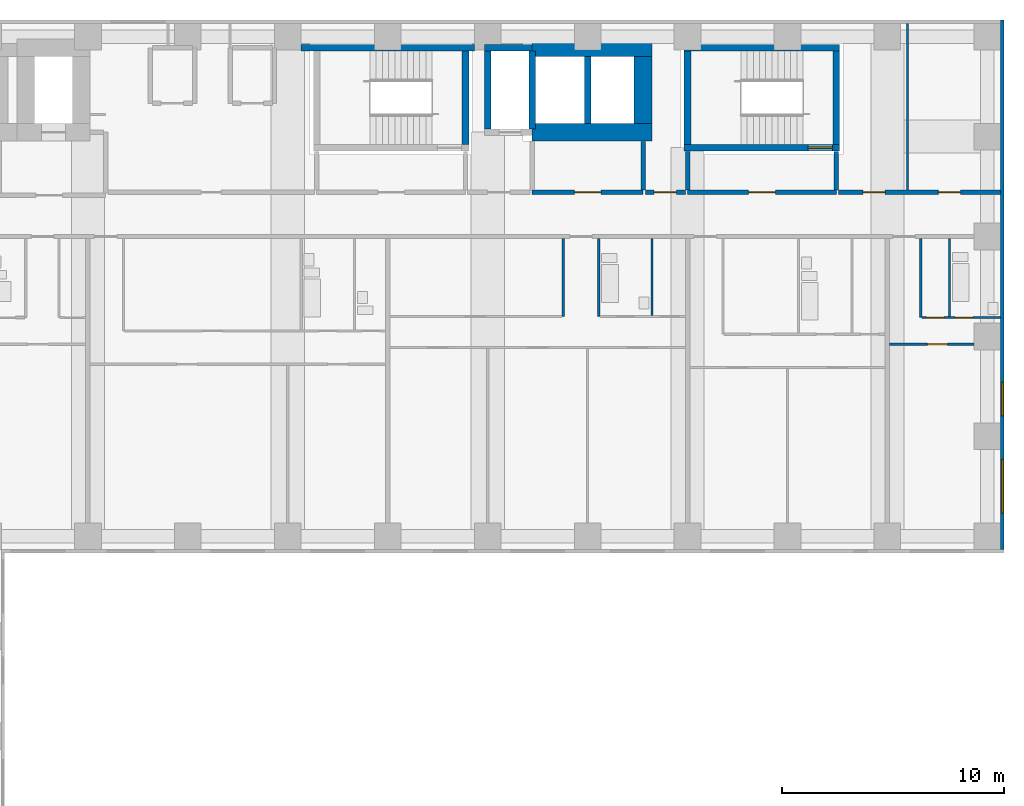
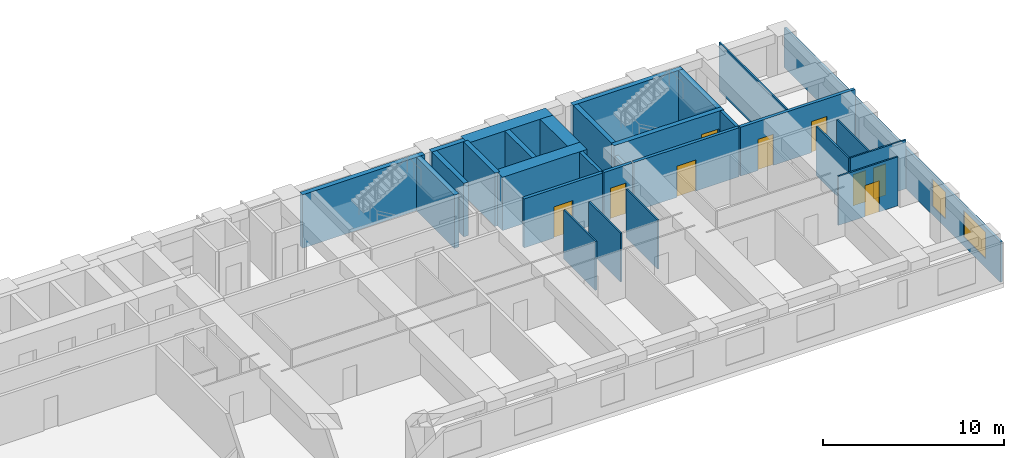
# One storey, part 8 of 11: 29 walls, 9 doors, 2 windows, 11 openings.
"""IFC4 building model written with IfcOpenShell, lengths in metres."""

from ifc_helpers import new_model, si_unit, direction, frame, frame_2d, origin, place, context, subcontext, project, spatial, rectangle, extrude, material, layer, layer_set, type_object, element, fill, save


model = new_model("IFC4")

# Units and contexts
model_context = context("Model", 3, precision=1e-05, world=origin(), true_north=direction((0.0, 1.0)))
body_context = subcontext(model_context, "Body", "Model", "MODEL_VIEW")
ifc_project = project(units=[si_unit("LENGTHUNIT", "METRE"), si_unit("AREAUNIT", "SQUARE_METRE"), si_unit("VOLUMEUNIT", "CUBIC_METRE"), si_unit("PLANEANGLEUNIT", "RADIAN"), si_unit("MASSUNIT", "GRAM", prefix="KILO")], contexts=[model_context])

# Site, building, storey
site_placement = place(None, origin())
site = spatial("IfcSite", under=ifc_project, at=site_placement, CompositionType="ELEMENT")
building_placement = place(site_placement, origin())
building = spatial("IfcBuilding", under=site, at=building_placement, Name="Firuza Court", CompositionType="ELEMENT")
storey_placement = place(building_placement, frame((0.0, 0.0, 61.39990234375)))
storey = spatial("IfcBuildingStorey", under=building, at=storey_placement, Name="L14", CompositionType="ELEMENT", Elevation=61.39990234375)

# Walls
ifc_material_1 = material(Name="Moisture-resistant gypsum board partition")
ifc_layer_1 = layer(ifc_material_1, 0.10009765625)
ifc_layer_set_1 = layer_set([ifc_layer_1], Name="Moisture-resistant gypsum board partition")
wall_type_1 = type_object("IfcWallType", Name="Bathroom partition 100", PredefinedType="PLUMBINGWALL", material=ifc_layer_set_1)
for number, where, z_axis, x_axis, name in (
    (1, (50.0, 45.89990234375, 0.0), (0.0, 0.0, 1.0), (0.0, 1.0, 0.0), "Bathroom partition 100 L14"),
    (2, (65.800048828125, 45.89990234375, 0.0), (0.0, 0.0, 1.0), (0.0, 1.0, 0.0), "Bathroom partition 100 L14"),
):
    element("IfcWall", number, at=place(storey_placement, frame(where, z_axis=z_axis, x_axis=x_axis)), inside=storey, type_object=wall_type_1, Name=name, PredefinedType="PLUMBINGWALL", context=body_context, shape_type="SweptSolid", body=[
        extrude(rectangle(XDim=3.5, YDim=0.10009765625, at=frame_2d((1.75, 0.0))), origin(), (0.0, 0.0, 1.0), 3.300048828125),
    ])
wall_1_placement = place(storey_placement, frame((52.39990234375, 45.949951171875, 0.0), z_axis=(0.0, 0.0, 1.0), x_axis=(0.0, 1.0, 0.0)))
element("IfcWall", 3, at=wall_1_placement, inside=storey, type_object=wall_type_1, Name="Bathroom partition 100 L14", PredefinedType="PLUMBINGWALL", context=body_context, shape_type="SweptSolid", body=[
    extrude(rectangle(XDim=3.449951171875, YDim=0.10009765625, at=frame_2d((1.72509765625, 0.0))), origin(), (0.0, 0.0, 1.0), 3.300048828125),
])
ifc_material_2 = material(Name="Concrete C60/75", Category="concrete")
ifc_layer_2 = layer(ifc_material_2, 0.300048828125)
ifc_layer_set_2 = layer_set([ifc_layer_2], Name="Concrete C60/75")
wall_type_2 = type_object("IfcWallType", Name="Core wall 300 C60/75", PredefinedType="SHEAR", material=ifc_layer_set_2)
wall_2_placement = place(storey_placement, frame((36.60009765625, 58.0, -0.2998046875), z_axis=(0.0, 0.0, 1.0), x_axis=(1.0, 0.0, 0.0)))
element("IfcWall", 4, at=wall_2_placement, inside=storey, type_object=wall_type_2, Name="Core wall stair L14", PredefinedType="SHEAR", context=body_context, shape_type="SweptSolid", body=[
    extrude(rectangle(XDim=7.7998046875, YDim=0.300048828125, at=frame_2d((3.89990234375, 0.0))), origin(), (0.0, 0.0, 1.0), 3.599853515625),
])
wall_3_placement = place(storey_placement, frame((44.0, 53.64990234375, -0.2998046875), z_axis=(0.0, 0.0, 1.0), x_axis=(0.0, 1.0, 0.0)))
element("IfcWall", 5, at=wall_3_placement, inside=storey, type_object=wall_type_2, Name="Core wall stair L14", PredefinedType="SHEAR", context=body_context, shape_type="SweptSolid", body=[
    extrude(rectangle(XDim=4.2001953125, YDim=0.300048828125, at=frame_2d((2.10009765625, 0.0))), origin(), (0.0, 0.0, 1.0), 3.599853515625),
])
wall_4_placement = place(storey_placement, frame((44.85009765625, 58.0, -0.2998046875), z_axis=(0.0, 0.0, 1.0), x_axis=(1.0, 0.0, 0.0)))
element("IfcWall", 6, at=wall_4_placement, inside=storey, type_object=wall_type_2, Name="Core wall riser L14", PredefinedType="SHEAR", context=body_context, shape_type="SweptSolid", body=[
    extrude(rectangle(XDim=2.14990234375, YDim=0.300048828125, at=frame_2d((1.074951171875, 0.0))), origin(), (0.0, 0.0, 1.0), 3.599853515625),
])
for number, where, z_axis, x_axis, name in (
    (7, (45.0, 54.35009765625, -0.2998046875), (0.0, 0.0, 1.0), (0.0, 1.0, 0.0), "Core wall riser L14"),
    (8, (47.0, 54.35009765625, -0.2998046875), (0.0, 0.0, 1.0), (0.0, 1.0, 0.0), "Core wall lift shaft L14"),
):
    element("IfcWall", number, at=place(storey_placement, frame(where, z_axis=z_axis, x_axis=x_axis)), inside=storey, type_object=wall_type_2, Name=name, PredefinedType="SHEAR", context=body_context, shape_type="SweptSolid", body=[
        extrude(rectangle(XDim=3.5, YDim=0.300048828125, at=frame_2d((1.75, 0.0))), origin(), (0.0, 0.0, 1.0), 3.599853515625),
    ])
wall_5_placement = place(storey_placement, frame((49.5, 54.60009765625, -0.2998046875), z_axis=(0.0, 0.0, 1.0), x_axis=(0.0, 1.0, 0.0)))
element("IfcWall", 9, at=wall_5_placement, inside=storey, type_object=wall_type_2, Name="Core wall lift shaft L14", PredefinedType="SHEAR", context=body_context, shape_type="SweptSolid", body=[
    extrude(rectangle(XDim=3.0, YDim=0.300048828125, at=frame_2d((1.5, 0.0))), origin(), (0.0, 0.0, 1.0), 3.599853515625),
])

# Wall, opening, door
wall_6_placement = place(storey_placement, frame((53.85009765625, 53.5, -0.2998046875), z_axis=(0.0, 0.0, 1.0), x_axis=(1.0, 0.0, 0.0)))
wall_6 = element("IfcWall", 10, at=wall_6_placement, inside=storey, type_object=wall_type_2, Name="Core wall stair L14", PredefinedType="SHEAR", context=body_context, shape_type="SweptSolid", body=[
    extrude(rectangle(XDim=7.0, YDim=0.300048828125, at=frame_2d((3.5, 0.0))), origin(), (0.0, 0.0, 1.0), 3.599853515625),
])
opening_1_placement = place(wall_6_placement, frame((5.580078125, 0.0, 0.300048828125)))
opening_1 = element("IfcOpeningElement", 11, at=opening_1_placement, cuts=wall_6, Name="Opening D14017", PredefinedType="OPENING", context=body_context, shape_type="SweptSolid", body=[
    extrude(rectangle(XDim=1.10009765625, YDim=2.10009765625, at=frame_2d((0.550048828125, 1.050048828125))), frame((0.0, 0.162109375, 0.0), z_axis=(0.0, -1.0, 0.0), x_axis=(1.0, 0.0, 0.0)), (0.0, 0.0, 1.0), 0.323974609375),
])
ifc_material_3 = material(Name="Timber door leaf in hardwood frame", Category="wood")
door_type_1 = type_object("IfcDoorType", Name="Stair door 1100", OperationType="SINGLE_SWING_LEFT", PredefinedType="DOOR", material=ifc_material_3)
door_1_placement = place(opening_1_placement, origin())
door_1 = element("IfcDoor", 12, at=door_1_placement, inside=storey, type_object=door_type_1, Name="Stair door S4", OperationType="SINGLE_SWING_RIGHT", OverallHeight=2.10009765625, OverallWidth=1.10009765625, PredefinedType="DOOR", context=body_context, shape_type="SweptSolid", body=[
    extrude(rectangle(XDim=1.10009765625, YDim=2.10009765625, at=frame_2d((0.550048828125, 1.050048828125))), frame((0.0, 0.02490234375, 0.0), z_axis=(0.0, -1.0, 0.0), x_axis=(1.0, 0.0, 0.0)), (0.0, 0.0, 1.0), 0.050048828125),
])
fill(opening_1, door_1)

# Walls
wall_7_placement = place(storey_placement, frame((53.85009765625, 58.0, -0.2998046875), z_axis=(0.0, 0.0, 1.0), x_axis=(1.0, 0.0, 0.0)))
element("IfcWall", 13, at=wall_7_placement, inside=storey, type_object=wall_type_2, Name="Core wall stair L14", PredefinedType="SHEAR", context=body_context, shape_type="SweptSolid", body=[
    extrude(rectangle(XDim=7.0, YDim=0.300048828125, at=frame_2d((3.5, 0.0))), origin(), (0.0, 0.0, 1.0), 3.599853515625),
])
for number, where, z_axis, x_axis, name in (
    (14, (54.0, 53.64990234375, -0.2998046875), (0.0, 0.0, 1.0), (0.0, 1.0, 0.0), "Core wall stair L14"),
    (15, (60.699951171875, 53.64990234375, -0.2998046875), (0.0, 0.0, 1.0), (0.0, 1.0, 0.0), "Core wall stair L14"),
):
    element("IfcWall", number, at=place(storey_placement, frame(where, z_axis=z_axis, x_axis=x_axis)), inside=storey, type_object=wall_type_2, Name=name, PredefinedType="SHEAR", context=body_context, shape_type="SweptSolid", body=[
        extrude(rectangle(XDim=4.2001953125, YDim=0.300048828125, at=frame_2d((2.10009765625, 0.0))), origin(), (0.0, 0.0, 1.0), 3.599853515625),
    ])
ifc_layer_3 = layer(ifc_material_2, 0.800048828125)
ifc_layer_set_3 = layer_set([ifc_layer_3], Name="Concrete C60/75")
wall_type_3 = type_object("IfcWallType", Name="Core wall 800 C60/75", PredefinedType="SHEAR", material=ifc_layer_set_3)
for number, where, z_axis, x_axis, name in (
    (16, (47.0, 54.199951171875, -0.2998046875), (0.0, 0.0, 1.0), (1.0, 0.0, 0.0), "Core wall lift shaft L14"),
    (17, (47.0, 58.0, -0.2998046875), (0.0, 0.0, 1.0), (1.0, 0.0, 0.0), "Core wall lift shaft L14"),
):
    element("IfcWall", number, at=place(storey_placement, frame(where, z_axis=z_axis, x_axis=x_axis)), inside=storey, type_object=wall_type_3, Name=name, PredefinedType="SHEAR", context=body_context, shape_type="SweptSolid", body=[
        extrude(rectangle(XDim=5.39990234375, YDim=0.800048828125, at=frame_2d((2.699951171875, 0.0))), origin(), (0.0, 0.0, 1.0), 3.599853515625),
    ])
wall_8_placement = place(storey_placement, frame((52.0, 54.60009765625, -0.2998046875), z_axis=(0.0, 0.0, 1.0), x_axis=(0.0, 1.0, 0.0)))
element("IfcWall", 18, at=wall_8_placement, inside=storey, type_object=wall_type_3, Name="Core wall lift shaft L14", PredefinedType="SHEAR", context=body_context, shape_type="SweptSolid", body=[
    extrude(rectangle(XDim=3.0, YDim=0.800048828125, at=frame_2d((1.5, 0.0))), origin(), (0.0, 0.0, 1.0), 3.599853515625),
])

# Wall, opening, door
ifc_material_4 = material(Name="Blockwork, plastered both sides", Category="masonry")
ifc_layer_4 = layer(ifc_material_4, 0.199951171875)
ifc_layer_set_4 = layer_set([ifc_layer_4], Name="Blockwork, plastered both sides")
wall_type_4 = type_object("IfcWallType", Name="Corridor wall 200", PredefinedType="PARTITIONING", material=ifc_layer_set_4)
wall_9_placement = place(storey_placement, frame((52.10009765625, 51.5, 0.0), z_axis=(0.0, 0.0, 1.0), x_axis=(1.0, 0.0, 0.0)))
wall_9 = element("IfcWall", 19, at=wall_9_placement, inside=storey, type_object=wall_type_4, Name="Corridor wall 200 L14", PredefinedType="PARTITIONING", context=body_context, shape_type="SweptSolid", body=[
    extrude(rectangle(XDim=1.7998046875, YDim=0.199951171875, at=frame_2d((0.89990234375, 0.0))), origin(), (0.0, 0.0, 1.0), 3.300048828125),
])
opening_2_placement = place(wall_9_placement, frame((0.39990234375, 0.0, 0.0)))
opening_2 = element("IfcOpeningElement", 20, at=opening_2_placement, cuts=wall_9, Name="Opening D14072", PredefinedType="OPENING", context=body_context, shape_type="SweptSolid", body=[
    extrude(rectangle(XDim=1.0, YDim=2.10009765625, at=frame_2d((0.5, 1.050048828125))), frame((0.0, 0.11181640625, 0.0), z_axis=(0.0, -1.0, 0.0), x_axis=(1.0, 0.0, 0.0)), (0.0, 0.0, 1.0), 0.223876953125),
])
ifc_material_5 = material(Name="Timber door leaf in hardwood frame", Category="wood")
door_type_2 = type_object("IfcDoorType", Name="Store door 1000", OperationType="SINGLE_SWING_LEFT", PredefinedType="DOOR", material=ifc_material_5)
door_2_placement = place(opening_2_placement, origin())
door_2 = element("IfcDoor", 21, at=door_2_placement, inside=storey, type_object=door_type_2, Name="Luggage store door", OperationType="SINGLE_SWING_LEFT", OverallHeight=2.10009765625, OverallWidth=1.0, PredefinedType="DOOR", context=body_context, shape_type="SweptSolid", body=[
    extrude(rectangle(XDim=1.0, YDim=2.10009765625, at=frame_2d((0.5, 1.050048828125))), frame((0.0, 0.02490234375, 0.0), z_axis=(0.0, -1.0, 0.0), x_axis=(1.0, 0.0, 0.0)), (0.0, 0.0, 1.0), 0.050048828125),
])
fill(opening_2, door_2)

# Wall, openings, doors
wall_10_placement = place(storey_placement, frame((60.800048828125, 51.5, 0.0), z_axis=(0.0, 0.0, 1.0), x_axis=(1.0, 0.0, 0.0)))
wall_10 = element("IfcWall", 22, at=wall_10_placement, inside=storey, type_object=wall_type_4, Name="Corridor wall 200 L14", PredefinedType="PARTITIONING", context=body_context, shape_type="SweptSolid", body=[
    extrude(rectangle(XDim=7.300048828125, YDim=0.199951171875, at=frame_2d((3.64990234375, 0.0))), origin(), (0.0, 0.0, 1.0), 3.300048828125),
])
opening_3_placement = place(wall_10_placement, frame((1.10009765625, 0.0, 0.0)))
opening_3 = element("IfcOpeningElement", 23, at=opening_3_placement, cuts=wall_10, Name="Opening D14073", PredefinedType="OPENING", context=body_context, shape_type="SweptSolid", body=[
    extrude(rectangle(XDim=1.0, YDim=2.10009765625, at=frame_2d((0.5, 1.050048828125))), frame((0.0, 0.11181640625, 0.0), z_axis=(0.0, -1.0, 0.0), x_axis=(1.0, 0.0, 0.0)), (0.0, 0.0, 1.0), 0.223876953125),
])
opening_4_placement = place(wall_10_placement, frame((4.5, 0.0, 0.0)))
opening_4 = element("IfcOpeningElement", 24, at=opening_4_placement, cuts=wall_10, Name="Opening D14074", PredefinedType="OPENING", context=body_context, shape_type="SweptSolid", body=[
    extrude(rectangle(XDim=1.0, YDim=2.10009765625, at=frame_2d((0.5, 1.050048828125))), frame((0.0, 0.11181640625, 0.0), z_axis=(0.0, -1.0, 0.0), x_axis=(1.0, 0.0, 0.0)), (0.0, 0.0, 1.0), 0.223876953125),
])
door_3_placement = place(opening_3_placement, origin())
door_3 = element("IfcDoor", 25, at=door_3_placement, inside=storey, type_object=door_type_2, Name="Comms room door", OperationType="SINGLE_SWING_LEFT", OverallHeight=2.10009765625, OverallWidth=1.0, PredefinedType="DOOR", context=body_context, shape_type="SweptSolid", body=[
    extrude(rectangle(XDim=1.0, YDim=2.10009765625, at=frame_2d((0.5, 1.050048828125))), frame((0.0, 0.02490234375, 0.0), z_axis=(0.0, -1.0, 0.0), x_axis=(1.0, 0.0, 0.0)), (0.0, 0.0, 1.0), 0.050048828125),
])
fill(opening_3, door_3)
door_4_placement = place(opening_4_placement, origin())
door_4 = element("IfcDoor", 26, at=door_4_placement, inside=storey, type_object=door_type_2, Name="Parcel room door", OperationType="SINGLE_SWING_LEFT", OverallHeight=2.10009765625, OverallWidth=1.0, PredefinedType="DOOR", context=body_context, shape_type="SweptSolid", body=[
    extrude(rectangle(XDim=1.0, YDim=2.10009765625, at=frame_2d((0.5, 1.050048828125))), frame((0.0, 0.02490234375, 0.0), z_axis=(0.0, -1.0, 0.0), x_axis=(1.0, 0.0, 0.0)), (0.0, 0.0, 1.0), 0.050048828125),
])
fill(opening_4, door_4)

# Wall, opening, door
ifc_material_6 = material(Name="Timber stud partition, plasterboard both sides", Category="wood")
ifc_layer_5 = layer(ifc_material_6, 0.10009765625)
ifc_layer_set_5 = layer_set([ifc_layer_5], Name="Timber stud partition, plasterboard both sides")
wall_type_5 = type_object("IfcWallType", Name="Partition wall 100", PredefinedType="PARTITIONING", material=ifc_layer_set_5)
wall_11_placement = place(storey_placement, frame((63.10009765625, 44.64990234375, 0.0), z_axis=(0.0, 0.0, 1.0), x_axis=(1.0, 0.0, 0.0)))
wall_11 = element("IfcWall", 27, at=wall_11_placement, inside=storey, type_object=wall_type_5, Name="Partition wall 100 L14", PredefinedType="PARTITIONING", context=body_context, shape_type="SweptSolid", body=[
    extrude(rectangle(XDim=3.7998046875, YDim=0.10009765625, at=frame_2d((1.89990234375, 0.0))), origin(), (0.0, 0.0, 1.0), 3.300048828125),
])
opening_5_placement = place(wall_11_placement, frame((1.699951171875, 0.0, 0.0)))
opening_5 = element("IfcOpeningElement", 28, at=opening_5_placement, cuts=wall_11, Name="Opening D14050", PredefinedType="OPENING", context=body_context, shape_type="SweptSolid", body=[
    extrude(rectangle(XDim=0.89990234375, YDim=2.10009765625, at=frame_2d((0.449951171875, 1.050048828125))), frame((0.0, 0.06201171875, 0.0), z_axis=(0.0, -1.0, 0.0), x_axis=(1.0, 0.0, 0.0)), (0.0, 0.0, 1.0), 0.1240234375),
])
ifc_material_7 = material(Name="Timber door leaf in hardwood frame", Category="wood")
door_type_3 = type_object("IfcDoorType", Name="Room door 900", OperationType="SINGLE_SWING_LEFT", PredefinedType="DOOR", material=ifc_material_7)
door_5_placement = place(opening_5_placement, frame((0.89990234375, 0.0, 0.0), z_axis=(0.0, 0.0, 1.0), x_axis=(-1.0, 0.0, 0.0)))
door_5 = element("IfcDoor", 29, at=door_5_placement, inside=storey, type_object=door_type_3, Name="Studio room door", OperationType="SINGLE_SWING_LEFT", OverallHeight=2.10009765625, OverallWidth=0.89990234375, PredefinedType="DOOR", context=body_context, shape_type="SweptSolid", body=[
    extrude(rectangle(XDim=0.89990234375, YDim=2.10009765625, at=frame_2d((0.449951171875, 1.050048828125))), frame((0.0, 0.02490234375, 0.0), z_axis=(0.0, -1.0, 0.0), x_axis=(1.0, 0.0, 0.0)), (0.0, 0.0, 1.0), 0.050048828125),
])
fill(opening_5, door_5)

# Wall
wall_12_placement = place(storey_placement, frame((64.5, 45.85009765625, 0.0), z_axis=(0.0, 0.0, 1.0), x_axis=(0.0, 1.0, 0.0)))
element("IfcWall", 30, at=wall_12_placement, inside=storey, type_object=wall_type_5, Name="Partition wall 100 L14", PredefinedType="PARTITIONING", context=body_context, shape_type="SweptSolid", body=[
    extrude(rectangle(XDim=3.5498046875, YDim=0.10009765625, at=frame_2d((1.77490234375, 0.0))), origin(), (0.0, 0.0, 1.0), 3.300048828125),
])

# Wall, openings, doors
wall_13_placement = place(storey_placement, frame((64.550048828125, 45.85009765625, 0.0), z_axis=(0.0, 0.0, 1.0), x_axis=(1.0, 0.0, 0.0)))
wall_13 = element("IfcWall", 31, at=wall_13_placement, inside=storey, type_object=wall_type_5, Name="Partition wall 100 L14", PredefinedType="PARTITIONING", context=body_context, shape_type="SweptSolid", body=[
    extrude(rectangle(XDim=3.550048828125, YDim=0.10009765625, at=frame_2d((1.77490234375, 0.0))), origin(), (0.0, 0.0, 1.0), 3.300048828125),
])
opening_6_placement = place(wall_13_placement, frame((1.5, 0.0, 0.0)))
opening_6 = element("IfcOpeningElement", 32, at=opening_6_placement, cuts=wall_13, Name="Opening D14059", PredefinedType="OPENING", context=body_context, shape_type="SweptSolid", body=[
    extrude(rectangle(XDim=0.800048828125, YDim=2.10009765625, at=frame_2d((0.39990234375, 1.050048828125))), frame((0.0, 0.06201171875, 0.0), z_axis=(0.0, -1.0, 0.0), x_axis=(1.0, 0.0, 0.0)), (0.0, 0.0, 1.0), 0.1240234375),
])
opening_7_placement = place(wall_13_placement, frame((0.199951171875, 0.0, 0.0)))
opening_7 = element("IfcOpeningElement", 33, at=opening_7_placement, cuts=wall_13, Name="Opening D14060", PredefinedType="OPENING", context=body_context, shape_type="SweptSolid", body=[
    extrude(rectangle(XDim=0.800048828125, YDim=2.10009765625, at=frame_2d((0.39990234375, 1.050048828125))), frame((0.0, 0.06201171875, 0.0), z_axis=(0.0, -1.0, 0.0), x_axis=(1.0, 0.0, 0.0)), (0.0, 0.0, 1.0), 0.1240234375),
])
ifc_material_8 = material(Name="Timber door leaf in hardwood frame", Category="wood")
door_type_4 = type_object("IfcDoorType", Name="Bathroom door 800", OperationType="SINGLE_SWING_LEFT", PredefinedType="DOOR", material=ifc_material_8)
door_6_placement = place(opening_6_placement, origin())
door_6 = element("IfcDoor", 34, at=door_6_placement, inside=storey, type_object=door_type_4, Name="Bathroom door", OperationType="SINGLE_SWING_LEFT", OverallHeight=2.10009765625, OverallWidth=0.800048828125, PredefinedType="DOOR", context=body_context, shape_type="SweptSolid", body=[
    extrude(rectangle(XDim=0.800048828125, YDim=2.10009765625, at=frame_2d((0.39990234375, 1.050048828125))), frame((0.0, 0.02490234375, 0.0), z_axis=(0.0, -1.0, 0.0), x_axis=(1.0, 0.0, 0.0)), (0.0, 0.0, 1.0), 0.050048828125),
])
fill(opening_6, door_6)
ifc_material_9 = material(Name="Timber door leaf in hardwood frame", Category="wood")
door_type_5 = type_object("IfcDoorType", Name="Room door 800", OperationType="SINGLE_SWING_LEFT", PredefinedType="DOOR", material=ifc_material_9)
door_7_placement = place(opening_7_placement, origin())
door_7 = element("IfcDoor", 35, at=door_7_placement, inside=storey, type_object=door_type_5, Name="Kitchen door", OperationType="SINGLE_SWING_LEFT", OverallHeight=2.10009765625, OverallWidth=0.800048828125, PredefinedType="DOOR", context=body_context, shape_type="SweptSolid", body=[
    extrude(rectangle(XDim=0.800048828125, YDim=2.10009765625, at=frame_2d((0.39990234375, 1.050048828125))), frame((0.0, 0.02490234375, 0.0), z_axis=(0.0, -1.0, 0.0), x_axis=(1.0, 0.0, 0.0)), (0.0, 0.0, 1.0), 0.050048828125),
])
fill(opening_7, door_7)

# Walls
wall_14_placement = place(storey_placement, frame((48.39990234375, 45.89990234375, 0.0), z_axis=(0.0, 0.0, 1.0), x_axis=(0.0, 1.0, 0.0)))
element("IfcWall", 36, at=wall_14_placement, inside=storey, type_object=wall_type_5, Name="Partition wall 100 L14", PredefinedType="PARTITIONING", context=body_context, shape_type="SweptSolid", body=[
    extrude(rectangle(XDim=3.5, YDim=0.10009765625, at=frame_2d((1.75, 0.0))), origin(), (0.0, 0.0, 1.0), 3.300048828125),
])
wall_15_placement = place(storey_placement, frame((63.89990234375, 51.60009765625, 0.0), z_axis=(0.0, 0.0, 1.0), x_axis=(0.0, 1.0, 0.0)))
element("IfcWall", 37, at=wall_15_placement, inside=storey, type_object=wall_type_5, Name="Partition wall 100 L14", PredefinedType="PARTITIONING", context=body_context, shape_type="SweptSolid", body=[
    extrude(rectangle(XDim=7.5, YDim=0.10009765625, at=frame_2d((3.75, 0.0))), origin(), (0.0, 0.0, 1.0), 3.300048828125),
])

# Wall, openings, windows
ifc_material_10 = material(Name="Ceramic tile", Category="ceramic")
ifc_layer_6 = layer(ifc_material_10, 0.02001953125)
ifc_material_11 = material(Name="Mineral wool insulation", Category="insulation")
ifc_layer_7 = layer(ifc_material_11, 0.050048828125)
ifc_material_12 = material(Name="Concrete C40/50 precast", Category="concrete")
ifc_layer_8 = layer(ifc_material_12, 0.080078125)
ifc_layer_set_6 = layer_set([ifc_layer_6, ifc_layer_7, ifc_layer_8], Name="Concrete C40/50 precast")
wall_type_6 = type_object("IfcWallType", Name="Precast cladding wall with turquoise TILE PANEL face 150", PredefinedType="STANDARD", material=ifc_layer_set_6)
wall_16_placement = place(storey_placement, frame((68.175048828125, 35.39990234375, 0.0), z_axis=(0.0, 0.0, 1.0), x_axis=(0.0, 1.0, 0.0)))
wall_16 = element("IfcWall", 38, at=wall_16_placement, inside=storey, type_object=wall_type_6, Name="Facade wall L14 E", PredefinedType="STANDARD", context=body_context, shape_type="SweptSolid", body=[
    extrude(rectangle(XDim=23.85009765625, YDim=0.14990234375, at=frame_2d((11.925048828125, 0.0))), origin(), (0.0, 0.0, 1.0), 2.7001953125),
])
opening_8_placement = place(wall_16_placement, frame((1.64990234375, 0.0, 0.60009765625)))
opening_8 = element("IfcOpeningElement", 39, at=opening_8_placement, cuts=wall_16, Name="Opening W1", PredefinedType="OPENING", context=body_context, shape_type="SweptSolid", body=[
    extrude(rectangle(XDim=2.39990234375, YDim=1.800048828125, at=frame_2d((1.199951171875, 0.89990234375))), frame((0.0, 0.0869140625, 0.0), z_axis=(0.0, -1.0, 0.0), x_axis=(1.0, 0.0, 0.0)), (0.0, 0.0, 1.0), 0.173828125),
])
opening_9_placement = place(wall_16_placement, frame((6.029541015625, 0.0, 0.60009765625)))
opening_9 = element("IfcOpeningElement", 40, at=opening_9_placement, cuts=wall_16, Name="Opening W2", PredefinedType="OPENING", context=body_context, shape_type="SweptSolid", body=[
    extrude(rectangle(XDim=1.5, YDim=1.800048828125, at=frame_2d((0.75, 0.89990234375))), frame((0.0, 0.0869140625, 0.0), z_axis=(0.0, -1.0, 0.0), x_axis=(1.0, 0.0, 0.0)), (0.0, 0.0, 1.0), 0.173828125),
])
ifc_material_13 = material(Name="Aluminium frame, triple clear glazing", Category="aluminium")
window_type_1 = type_object("IfcWindowType", Name="Window W1 2400 x 1800", PartitioningType="SINGLE_PANEL", PredefinedType="WINDOW", material=ifc_material_13)
window_1_placement = place(opening_8_placement, origin())
window_1 = element("IfcWindow", 41, at=window_1_placement, inside=storey, type_object=window_type_1, Name="Window L14", OverallHeight=1.800048828125, OverallWidth=2.39990234375, PartitioningType="SINGLE_PANEL", PredefinedType="WINDOW", context=body_context, shape_type="SweptSolid", body=[
    extrude(rectangle(XDim=2.39990234375, YDim=1.800048828125, at=frame_2d((1.199951171875, 0.89990234375))), frame((0.0, 0.030029296875, 0.0), z_axis=(0.0, -1.0, 0.0), x_axis=(1.0, 0.0, 0.0)), (0.0, 0.0, 1.0), 0.06005859375),
])
fill(opening_8, window_1)
ifc_material_14 = material(Name="Aluminium frame, triple clear glazing", Category="aluminium")
window_type_2 = type_object("IfcWindowType", Name="Window W2 1500 x 1800", PartitioningType="SINGLE_PANEL", PredefinedType="WINDOW", material=ifc_material_14)
window_2_placement = place(opening_9_placement, origin())
window_2 = element("IfcWindow", 42, at=window_2_placement, inside=storey, type_object=window_type_2, Name="Window L14", OverallHeight=1.800048828125, OverallWidth=1.5, PartitioningType="SINGLE_PANEL", PredefinedType="WINDOW", context=body_context, shape_type="SweptSolid", body=[
    extrude(rectangle(XDim=1.5, YDim=1.800048828125, at=frame_2d((0.75, 0.89990234375))), frame((0.0, 0.030029296875, 0.0), z_axis=(0.0, -1.0, 0.0), x_axis=(1.0, 0.0, 0.0)), (0.0, 0.0, 1.0), 0.06005859375),
])
fill(opening_9, window_2)

# Wall, opening, door
ifc_material_15 = material(Name="Blockwork, fire-rated", Category="masonry")
ifc_layer_9 = layer(ifc_material_15, 0.199951171875)
ifc_layer_set_7 = layer_set([ifc_layer_9], Name="Blockwork, fire-rated")
wall_type_7 = type_object("IfcWallType", Name="Shaft wall 200", PredefinedType="PARTITIONING", material=ifc_layer_set_7)
wall_17_placement = place(storey_placement, frame((47.0, 51.5, 0.0), z_axis=(0.0, 0.0, 1.0), x_axis=(1.0, 0.0, 0.0)))
wall_17 = element("IfcWall", 43, at=wall_17_placement, inside=storey, type_object=wall_type_7, Name="Shaft wall 200 L14", PredefinedType="PARTITIONING", context=body_context, shape_type="SweptSolid", body=[
    extrude(rectangle(XDim=5.0, YDim=0.199951171875, at=frame_2d((2.5, 0.0))), origin(), (0.0, 0.0, 1.0), 3.300048828125),
])
opening_10_placement = place(wall_17_placement, frame((1.89990234375, 0.0, 0.0)))
opening_10 = element("IfcOpeningElement", 44, at=opening_10_placement, cuts=wall_17, Name="Opening D14009", PredefinedType="OPENING", context=body_context, shape_type="SweptSolid", body=[
    extrude(rectangle(XDim=1.199951171875, YDim=2.10009765625, at=frame_2d((0.60009765625, 1.050048828125))), frame((0.0, 0.11181640625, 0.0), z_axis=(0.0, -1.0, 0.0), x_axis=(1.0, 0.0, 0.0)), (0.0, 0.0, 1.0), 0.223876953125),
])
ifc_material_16 = material(Name="Timber door leaf in hardwood frame", Category="wood")
door_type_6 = type_object("IfcDoorType", Name="Lobby door 1200", OperationType="SINGLE_SWING_LEFT", PredefinedType="DOOR", material=ifc_material_16)
door_8_placement = place(opening_10_placement, origin())
door_8 = element("IfcDoor", 45, at=door_8_placement, inside=storey, type_object=door_type_6, Name="Lobby door", OperationType="SINGLE_SWING_LEFT", OverallHeight=2.10009765625, OverallWidth=1.199951171875, PredefinedType="DOOR", context=body_context, shape_type="SweptSolid", body=[
    extrude(rectangle(XDim=1.199951171875, YDim=2.10009765625, at=frame_2d((0.60009765625, 1.050048828125))), frame((0.0, 0.02490234375, 0.0), z_axis=(0.0, -1.0, 0.0), x_axis=(1.0, 0.0, 0.0)), (0.0, 0.0, 1.0), 0.050048828125),
])
fill(opening_10, door_8)

# Wall
wall_18_placement = place(storey_placement, frame((52.0, 51.60009765625, 0.0), z_axis=(0.0, 0.0, 1.0), x_axis=(0.0, 1.0, 0.0)))
element("IfcWall", 46, at=wall_18_placement, inside=storey, type_object=wall_type_7, Name="Shaft wall 200 L14", PredefinedType="PARTITIONING", context=body_context, shape_type="SweptSolid", body=[
    extrude(rectangle(XDim=2.179931640625, YDim=0.199951171875, at=frame_2d((1.08984375, 0.0))), origin(), (0.0, 0.0, 1.0), 3.300048828125),
])

# Wall, opening, door
wall_19_placement = place(storey_placement, frame((54.0, 51.5, 0.0), z_axis=(0.0, 0.0, 1.0), x_axis=(1.0, 0.0, 0.0)))
wall_19 = element("IfcWall", 47, at=wall_19_placement, inside=storey, type_object=wall_type_7, Name="Shaft wall 200 L14", PredefinedType="PARTITIONING", context=body_context, shape_type="SweptSolid", body=[
    extrude(rectangle(XDim=6.699951171875, YDim=0.199951171875, at=frame_2d((3.35009765625, 0.0))), origin(), (0.0, 0.0, 1.0), 3.300048828125),
])
opening_11_placement = place(wall_19_placement, frame((2.75, 0.0, 0.0)))
opening_11 = element("IfcOpeningElement", 48, at=opening_11_placement, cuts=wall_19, Name="Opening D14007", PredefinedType="OPENING", context=body_context, shape_type="SweptSolid", body=[
    extrude(rectangle(XDim=1.199951171875, YDim=2.10009765625, at=frame_2d((0.60009765625, 1.050048828125))), frame((0.0, 0.11181640625, 0.0), z_axis=(0.0, -1.0, 0.0), x_axis=(1.0, 0.0, 0.0)), (0.0, 0.0, 1.0), 0.223876953125),
])
door_9_placement = place(opening_11_placement, origin())
door_9 = element("IfcDoor", 49, at=door_9_placement, inside=storey, type_object=door_type_6, Name="Lobby door", OperationType="SINGLE_SWING_LEFT", OverallHeight=2.10009765625, OverallWidth=1.199951171875, PredefinedType="DOOR", context=body_context, shape_type="SweptSolid", body=[
    extrude(rectangle(XDim=1.199951171875, YDim=2.10009765625, at=frame_2d((0.60009765625, 1.050048828125))), frame((0.0, 0.02490234375, 0.0), z_axis=(0.0, -1.0, 0.0), x_axis=(1.0, 0.0, 0.0)), (0.0, 0.0, 1.0), 0.050048828125),
])
fill(opening_11, door_9)

# Walls
wall_20_placement = place(storey_placement, frame((60.699951171875, 51.60009765625, 0.0), z_axis=(0.0, 0.0, 1.0), x_axis=(0.0, 1.0, 0.0)))
element("IfcWall", 50, at=wall_20_placement, inside=storey, type_object=wall_type_7, Name="Shaft wall 200 L14", PredefinedType="PARTITIONING", context=body_context, shape_type="SweptSolid", body=[
    extrude(rectangle(XDim=1.72998046875, YDim=0.199951171875, at=frame_2d((0.864990234375, 0.0))), origin(), (0.0, 0.0, 1.0), 3.300048828125),
])
wall_21_placement = place(storey_placement, frame((54.0, 51.60009765625, 0.0), z_axis=(0.0, 0.0, 1.0), x_axis=(0.0, 1.0, 0.0)))
element("IfcWall", 51, at=wall_21_placement, inside=storey, type_object=wall_type_7, Name="Shaft wall 200 L14", PredefinedType="PARTITIONING", context=body_context, shape_type="SweptSolid", body=[
    extrude(rectangle(XDim=1.72998046875, YDim=0.199951171875, at=frame_2d((0.864990234375, 0.0))), origin(), (0.0, 0.0, 1.0), 2.60009765625),
])

save(model, "model.ifc")
